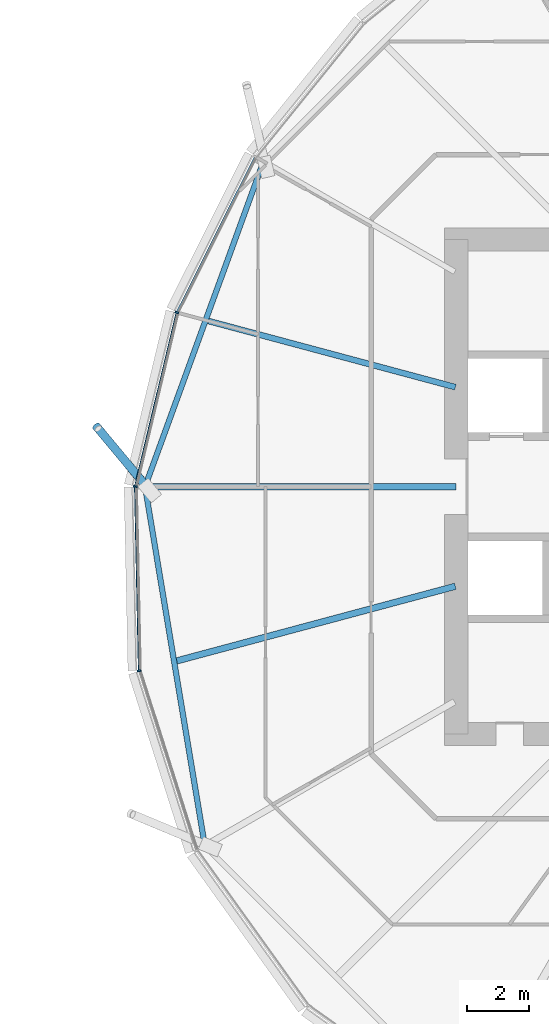
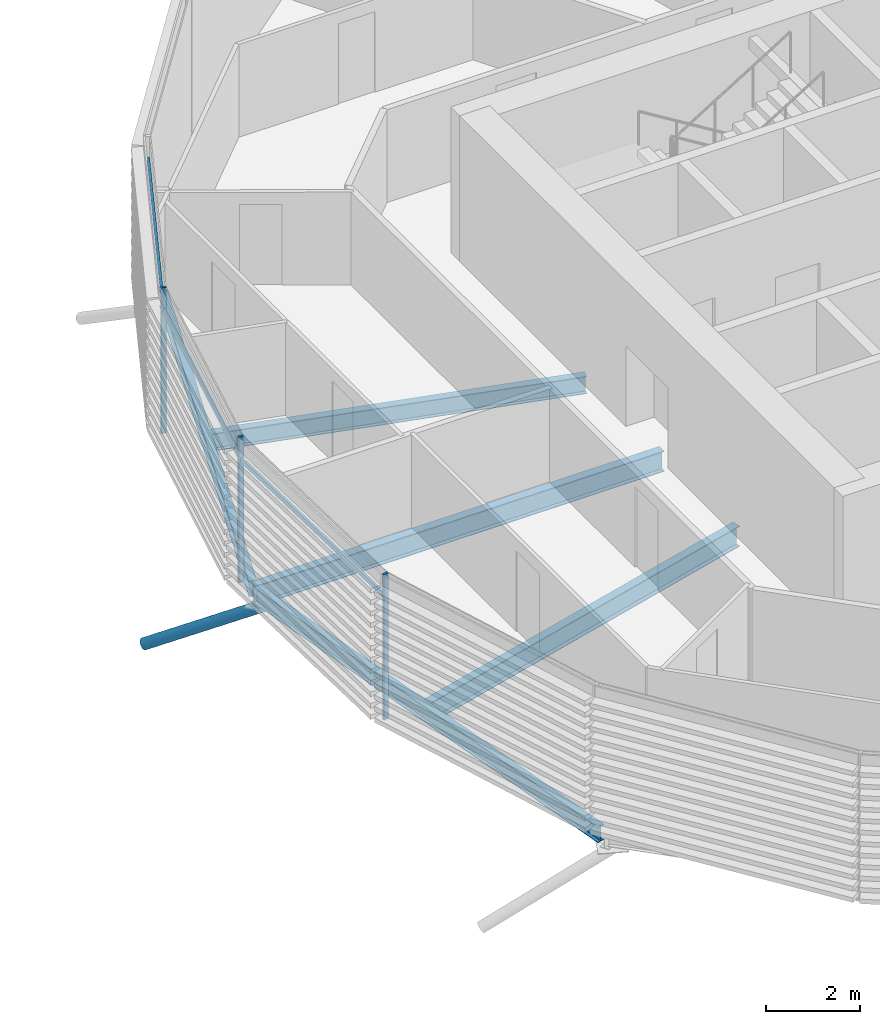
# One storey, part 14 of 40: 7 members, 5 beams, 1 element without a shape of its own.
"""IFC4 building model written with IfcOpenShell, lengths in metres."""

from ifc_helpers import new_model, si_unit, direction, frame, origin, origin_2d, place, context, subcontext, project, spatial, rectangle, hollow_circle, i_section, extrude, clip, halfspace, material, material_profile, profile_set, type_object, element, aggregate, save


model = new_model("IFC4")

# Units and contexts
model_context = context("Model", 3, precision=1e-05, world=origin(), true_north=direction((0.0, 1.0)))
body_context = subcontext(model_context, "Body", "Model", "MODEL_VIEW")
ifc_project = project(units=[si_unit("LENGTHUNIT", "METRE"), si_unit("AREAUNIT", "SQUARE_METRE"), si_unit("VOLUMEUNIT", "CUBIC_METRE"), si_unit("PLANEANGLEUNIT", "RADIAN"), si_unit("MASSUNIT", "GRAM", prefix="KILO")], contexts=[model_context])

# Site, building, storey
site_placement = place(None, origin())
site = spatial("IfcSite", under=ifc_project, at=site_placement, CompositionType="ELEMENT")
building_placement = place(site_placement, origin())
building = spatial("IfcBuilding", under=site, at=building_placement, Name="Rimbun Link Towers", CompositionType="ELEMENT")
storey_placement = place(building_placement, frame((0.0, 0.0, 89.199951171875)))
storey = spatial("IfcBuildingStorey", under=building, at=storey_placement, Name="L21", CompositionType="ELEMENT", Elevation=89.199951171875)

# Curtain wall, members
ifc_material_1 = material(Name="Aluminium 6063-T6 and low-iron glass", Category="aluminium")
curtain_wall_type = type_object("IfcCurtainWallType", Name="CW1-Z2 unitised vision wall (zone 2)", PredefinedType="NOTDEFINED", material=ifc_material_1)
curtain_wall_placement = place(storey_placement, origin())
curtain_wall = element("IfcCurtainWall", 1, at=curtain_wall_placement, inside=storey, type_object=curtain_wall_type, Name="CW1 L21 T2", PredefinedType="NOTDEFINED")
ifc_material_2 = material(Name="Aluminium 6063-T6", Category="aluminium")
ifc_material_profile_1 = material_profile(ifc_material_2, rectangle(XDim=0.1201171875, YDim=0.06005859375, at=origin_2d()), Name="MULLION 60X120")
ifc_profile_set_1 = profile_set([ifc_material_profile_1], Name="Aluminium 6063-T6")
member_type_1 = type_object("IfcMemberType", Name="CW1 mullion 60X120", PredefinedType="MULLION", material=ifc_profile_set_1)
member_1_placement = place(storey_placement, frame((10.7099609375, 5.64306640625, 0.0), z_axis=(0.0, 0.0, 1.0), x_axis=(-0.939348023223, 0.342965437423, 0.0)))
member_1 = element("IfcMember", 2, at=member_1_placement, type_object=member_type_1, Name="CW1 mullion", PredefinedType="MULLION", context=body_context, shape_type="SweptSolid", body=[
    extrude(rectangle(XDim=0.1201171875, YDim=0.06005859375, at=origin_2d()), origin(), (0.0, 0.0, 1.0), 3.800048828125),
])
member_2_placement = place(storey_placement, frame((9.362060546875, 0.00634765625, 0.0), z_axis=(0.0, 0.0, 1.0), x_axis=(-0.994298279657, 0.106634567902, 0.0)))
member_2 = element("IfcMember", 3, at=member_2_placement, type_object=member_type_1, Name="CW1 mullion", PredefinedType="MULLION", context=body_context, shape_type="SweptSolid", body=[
    extrude(rectangle(XDim=0.1201171875, YDim=0.06005859375, at=origin_2d()), origin(), (0.0, 0.0, 1.0), 3.800048828125),
])
member_3_placement = place(storey_placement, frame((9.48779296875, -5.959228515625, 0.0), z_axis=(0.0, 0.0, 1.0), x_axis=(-0.986502743935, -0.163744728794, 0.0)))
member_3 = element("IfcMember", 4, at=member_3_placement, type_object=member_type_1, Name="CW1 mullion", PredefinedType="MULLION", context=body_context, shape_type="SweptSolid", body=[
    extrude(rectangle(XDim=0.1201171875, YDim=0.06005859375, at=origin_2d()), origin(), (0.0, 0.0, 1.0), 3.800048828125),
])
ifc_material_3 = material(Name="Aluminium 6063-T6", Category="aluminium")
ifc_material_profile_2 = material_profile(ifc_material_3, rectangle(XDim=0.06005859375, YDim=0.1201171875, at=origin_2d()), Name="TRANSOM 60X120")
ifc_profile_set_2 = profile_set([ifc_material_profile_2], Name="Aluminium 6063-T6")
member_type_2 = type_object("IfcMemberType", Name="CW1 transom 60X120", PredefinedType="USERDEFINED", material=ifc_profile_set_2)
member_4_placement = place(storey_placement, frame((10.72802734375, 5.675537109375, 3.199951171875), z_axis=(0.448772797404, 0.893645889774, 0.0), x_axis=(-0.893645889774, 0.448772797404, 0.0)))
member_4 = element("IfcMember", 5, at=member_4_placement, type_object=member_type_2, Name="CW1 transom", ObjectType="TRANSOM", PredefinedType="USERDEFINED", context=body_context, shape_type="SweptSolid", body=[
    extrude(rectangle(XDim=0.06005859375, YDim=0.1201171875, at=origin_2d()), origin(), (0.0, 0.0, 1.0), 5.57177734375),
])
member_5_placement = place(storey_placement, frame((9.372314453125, 0.042724609375, 3.199951171875), z_axis=(0.232572335709, 0.972579101494, 0.0), x_axis=(-0.972579101494, 0.232572335709, 0.0)))
member_5 = element("IfcMember", 6, at=member_5_placement, type_object=member_type_2, Name="CW1 transom", ObjectType="TRANSOM", PredefinedType="USERDEFINED", context=body_context, shape_type="SweptSolid", body=[
    extrude(rectangle(XDim=0.06005859375, YDim=0.1201171875, at=origin_2d()), origin(), (0.0, 0.0, 1.0), 5.72119140625),
])
member_6_placement = place(storey_placement, frame((9.48828125, -5.92041015625, 3.199951171875), z_axis=(-0.021054945137, 0.999778320072, 0.0), x_axis=(-0.999778320072, -0.021054945137, 0.0)))
member_6 = element("IfcMember", 7, at=member_6_placement, type_object=member_type_2, Name="CW1 transom", ObjectType="TRANSOM", PredefinedType="USERDEFINED", context=body_context, shape_type="SweptSolid", body=[
    extrude(rectangle(XDim=0.06005859375, YDim=0.1201171875, at=origin_2d()), origin(), (0.0, 0.0, 1.0), 5.890380859375),
])
aggregate(curtain_wall, [member_1, member_2, member_3, member_4, member_5, member_6])

# Member
ifc_material_4 = material(Name="Steel S355J2H", Category="steel")
ifc_material_profile_3 = material_profile(ifc_material_4, hollow_circle(Radius=0.136474609375, WallThickness=0.012451171875, at=origin_2d()), Name="CHS 273x12.5")
ifc_profile_set_3 = profile_set([ifc_material_profile_3], Name="Steel S355J2H")
member_type_3 = type_object("IfcMemberType", Name="Floor edge link CHS 273x12.5", PredefinedType="BRACE", material=ifc_profile_set_3)
member_7_placement = place(storey_placement, frame((9.728759765625, 0.0, -0.8095703125), z_axis=(-0.546066936962, 0.656441299127, -0.520476436697), x_axis=(-0.768778223252, -0.639515475539, 0.0)))
element("IfcMember", 8, at=member_7_placement, inside=storey, type_object=member_type_3, Name="Floor edge link T2 L21 09", PredefinedType="BRACE", context=body_context, shape_type="Clipping", body=[
    clip(extrude(hollow_circle(Radius=0.136474609375, WallThickness=0.012451171875, at=origin_2d()), frame((0.0, 0.0, -0.467041015625)), (0.0, 0.0, 1.0), 3.453125), halfspace(frame((0.0, 0.0, -0.219970703125), z_axis=(0.0, 0.853876032479, -0.520476436697)), False)),
])

# Beams
ifc_material_5 = material(Name="Steel S355J2", Category="steel")
ifc_material_profile_4 = material_profile(ifc_material_5, i_section(OverallWidth=0.177978515625, OverallDepth=0.406494140625, WebThickness=0.0078125, FlangeThickness=0.0126953125, at=origin_2d()), Name="UB 406x178x60")
ifc_profile_set_4 = profile_set([ifc_material_profile_4], Name="Steel S355J2")
beam_type_1 = type_object("IfcBeamType", Name="UB 406x178x60", PredefinedType="BEAM", material=ifc_profile_set_4)
beam_1_placement = place(storey_placement, frame((13.48193359375, 10.443359375, -0.363037109375), z_axis=(-0.342184901163, -0.939632637479, 0.0), x_axis=(0.939632637479, -0.342184901163, 0.0)))
element("IfcBeam", 9, at=beam_1_placement, inside=storey, type_object=beam_type_1, Name="Edge beam T2 L21 07-09", PredefinedType="BEAM", context=body_context, shape_type="SweptSolid", body=[
    extrude(i_section(OverallWidth=0.177978515625, OverallDepth=0.406494140625, WebThickness=0.0078125, FlangeThickness=0.0126953125, at=origin_2d()), origin(), (0.0, 0.0, 1.0), 11.001708984375),
])
beam_2_placement = place(storey_placement, frame((9.6962890625, -0.105712890625, -0.363037109375), z_axis=(0.16425521083, -0.986417875809, 0.0), x_axis=(0.986417875809, 0.16425521083, 0.0)))
element("IfcBeam", 10, at=beam_2_placement, inside=storey, type_object=beam_type_1, Name="Edge beam T2 L21 09-11", PredefinedType="BEAM", context=body_context, shape_type="SweptSolid", body=[
    extrude(i_section(OverallWidth=0.177978515625, OverallDepth=0.406494140625, WebThickness=0.0078125, FlangeThickness=0.0126953125, at=origin_2d()), origin(), (0.0, 0.0, 1.0), 11.565185546875),
])
ifc_material_6 = material(Name="Steel S355J2", Category="steel")
ifc_material_profile_5 = material_profile(ifc_material_6, i_section(OverallWidth=0.18994140625, OverallDepth=0.453369140625, WebThickness=0.008544921875, FlangeThickness=0.0126953125, at=origin_2d()), Name="UB 457x191x67")
ifc_profile_set_5 = profile_set([ifc_material_profile_5], Name="Steel S355J2")
beam_type_2 = type_object("IfcBeamType", Name="UB 457x191x67", PredefinedType="BEAM", material=ifc_profile_set_5)
beam_3_placement = place(storey_placement, frame((19.724609375, 3.22216796875, -0.38671875), z_axis=(-0.965926857736, 0.258815195661, 0.0), x_axis=(-0.258815195661, -0.965926857736, 0.0)))
element("IfcBeam", 11, at=beam_3_placement, inside=storey, type_object=beam_type_2, Name="Radial beam T2 L21 08", PredefinedType="BEAM", context=body_context, shape_type="SweptSolid", body=[
    extrude(i_section(OverallWidth=0.18994140625, OverallDepth=0.453369140625, WebThickness=0.008544921875, FlangeThickness=0.0126953125, at=origin_2d()), origin(), (0.0, 0.0, 1.0), 8.2783203125),
])
ifc_material_7 = material(Name="Steel S355J2", Category="steel")
ifc_material_profile_6 = material_profile(ifc_material_7, i_section(OverallWidth=0.209228515625, OverallDepth=0.533203125, WebThickness=0.010009765625, FlangeThickness=0.015625, at=origin_2d()), Name="UB 533x210x92")
ifc_profile_set_6 = profile_set([ifc_material_profile_6], Name="Steel S355J2")
beam_type_3 = type_object("IfcBeamType", Name="UB 533x210x92", PredefinedType="BEAM", material=ifc_profile_set_6)
beam_4_placement = place(storey_placement, frame((19.7490234375, 0.0, -0.426513671875), z_axis=(-1.0, 0.0, 0.0), x_axis=(0.0, -1.0, 0.0)))
element("IfcBeam", 12, at=beam_4_placement, inside=storey, type_object=beam_type_3, Name="Radial beam T2 L21 09", PredefinedType="BEAM", context=body_context, shape_type="SweptSolid", body=[
    extrude(i_section(OverallWidth=0.209228515625, OverallDepth=0.533203125, WebThickness=0.010009765625, FlangeThickness=0.015625, at=origin_2d()), origin(), (0.0, 0.0, 1.0), 10.0703125),
])
beam_5_placement = place(storey_placement, frame((19.721923828125, -3.222900390625, -0.426513671875), z_axis=(-0.965926796226, -0.25881542522, 0.0), x_axis=(0.25881542522, -0.965926796226, 0.0)))
element("IfcBeam", 13, at=beam_5_placement, inside=storey, type_object=beam_type_3, Name="Radial beam T2 L21 10", PredefinedType="BEAM", context=body_context, shape_type="SweptSolid", body=[
    extrude(i_section(OverallWidth=0.209228515625, OverallDepth=0.533203125, WebThickness=0.010009765625, FlangeThickness=0.015625, at=origin_2d()), origin(), (0.0, 0.0, 1.0), 9.3310546875),
])

save(model, "model.ifc")
